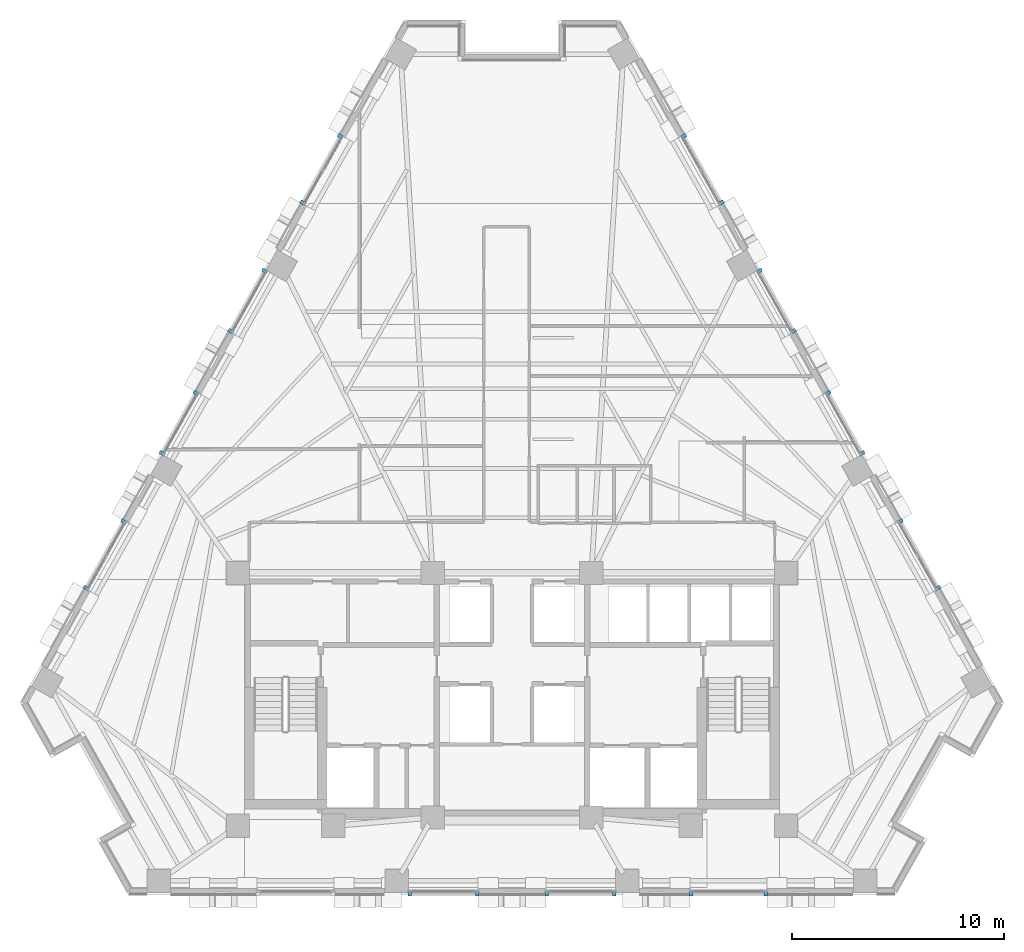
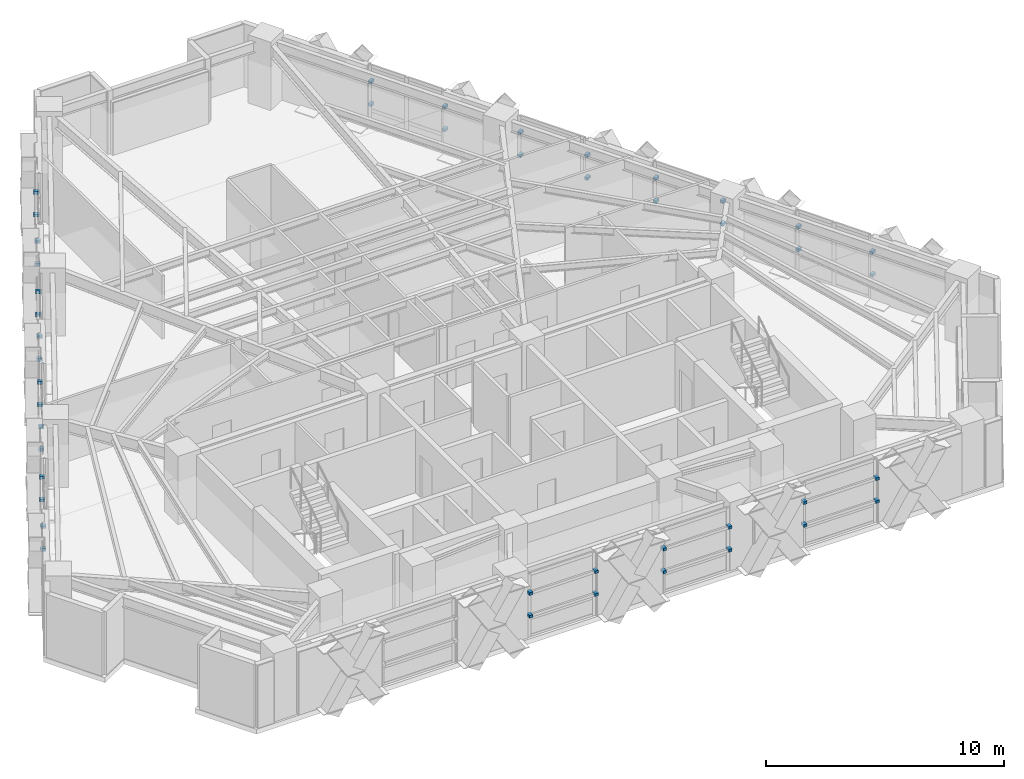
# One storey, part 10 of 14: 44 discrete accessories.
"""IFC4 building model written with IfcOpenShell, lengths in metres."""

from ifc_helpers import new_model, si_unit, direction, frame, origin, origin_2d, place, context, subcontext, project, spatial, rectangle, extrude, material, type_object, element, save


model = new_model("IFC4")

# Units and contexts
model_context = context("Model", 3, precision=1e-05, world=origin(), true_north=direction((0.0, 1.0)))
body_context = subcontext(model_context, "Body", "Model", "MODEL_VIEW")
ifc_project = project(units=[si_unit("LENGTHUNIT", "METRE"), si_unit("AREAUNIT", "SQUARE_METRE"), si_unit("VOLUMEUNIT", "CUBIC_METRE"), si_unit("PLANEANGLEUNIT", "RADIAN"), si_unit("MASSUNIT", "GRAM", prefix="KILO")], contexts=[model_context])

# Site, building, storey
site_placement = place(None, origin())
site = spatial("IfcSite", under=ifc_project, at=site_placement, CompositionType="ELEMENT")
building_placement = place(site_placement, origin())
building = spatial("IfcBuilding", under=site, at=building_placement, Name="Quenlor Broadcast Tower", CompositionType="ELEMENT")
storey_placement = place(building_placement, frame((0.0, 0.0, 102.0)))
storey = spatial("IfcBuildingStorey", under=building, at=storey_placement, Name="L27", CompositionType="ELEMENT", Elevation=102.0)

# Discrete accessories
ifc_material = material(Name="Aluminium 6063-T6", Category="aluminium")
discrete_accessory_type = type_object("IfcDiscreteAccessoryType", Name="Stainless Mullion Baguette Support Bracket", PredefinedType="BRACKET", material=ifc_material)
for number, where, z_axis, x_axis, name in (
    (1, (11.981689453125, -19.93994140625, 1.10009765625), (0.0, 0.0, 1.0), (-1.0, 0.0, 0.0), "L27 Baguette Mullion Bracket 1.1"),
    (2, (8.47119140625, -19.93994140625, 1.10009765625), (0.0, 0.0, 1.0), (-1.0, 0.0, 0.0), "L27 Baguette Mullion Bracket 1.2"),
    (3, (11.981689453125, -19.93994140625, 2.27001953125), (0.0, 0.0, 1.0), (-1.0, 0.0, 0.0), "L27 Baguette Mullion Bracket 2.1"),
    (4, (8.47119140625, -19.93994140625, 2.27001953125), (0.0, 0.0, 1.0), (-1.0, 0.0, 0.0), "L27 Baguette Mullion Bracket 2.2"),
    (5, (4.835693359375, -19.93994140625, 1.10009765625), (0.0, 0.0, 1.0), (-1.0, 0.0, 0.0), "L27 Baguette Mullion Bracket 1.1"),
    (6, (1.653564453125, -19.93994140625, 1.10009765625), (0.0, 0.0, 1.0), (-1.0, 0.0, 0.0), "L27 Baguette Mullion Bracket 1.2"),
    (7, (4.835693359375, -19.93994140625, 2.27001953125), (0.0, 0.0, 1.0), (-1.0, 0.0, 0.0), "L27 Baguette Mullion Bracket 2.1"),
    (8, (1.653564453125, -19.93994140625, 2.27001953125), (0.0, 0.0, 1.0), (-1.0, 0.0, 0.0), "L27 Baguette Mullion Bracket 2.2"),
    (9, (-1.653564453125, -19.93994140625, 1.10009765625), (0.0, 0.0, 1.0), (-1.0, 0.0, 0.0), "L27 Baguette Mullion Bracket 1.1"),
    (10, (-4.835693359375, -19.93994140625, 1.10009765625), (0.0, 0.0, 1.0), (-1.0, 0.0, 0.0), "L27 Baguette Mullion Bracket 1.2"),
    (11, (-1.653564453125, -19.93994140625, 2.27001953125), (0.0, 0.0, 1.0), (-1.0, 0.0, 0.0), "L27 Baguette Mullion Bracket 2.1"),
    (12, (-4.835693359375, -19.93994140625, 2.27001953125), (0.0, 0.0, 1.0), (-1.0, 0.0, 0.0), "L27 Baguette Mullion Bracket 2.2"),
    (13, (8.1181640625, 15.84521484375, 1.10009765625), (0.0, 0.0, 1.0), (0.490264988701, -0.871573428263, 0.0), "L27 Baguette Mullion Bracket 1.1"),
    (14, (9.887939453125, 12.698974609375, 1.10009765625), (0.0, 0.0, 1.0), (0.490264988701, -0.871573428263, 0.0), "L27 Baguette Mullion Bracket 1.2"),
    (15, (8.1181640625, 15.84521484375, 2.27001953125), (0.0, 0.0, 1.0), (0.490264988701, -0.871573428263, 0.0), "L27 Baguette Mullion Bracket 2.1"),
    (16, (9.887939453125, 12.698974609375, 2.27001953125), (0.0, 0.0, 1.0), (0.490264988701, -0.871573428263, 0.0), "L27 Baguette Mullion Bracket 2.2"),
    (17, (18.357421875, -2.35791015625, 1.10009765625), (0.0, 0.0, 1.0), (0.490277158114, -0.871566582787, 0.0), "L27 Baguette Mullion Bracket 1.1"),
    (18, (20.127197265625, -5.504150390625, 1.10009765625), (0.0, 0.0, 1.0), (0.490277158114, -0.871566582787, 0.0), "L27 Baguette Mullion Bracket 1.2"),
    (19, (18.357421875, -2.35791015625, 2.27001953125), (0.0, 0.0, 1.0), (0.490277158114, -0.871566582787, 0.0), "L27 Baguette Mullion Bracket 2.1"),
    (20, (20.127197265625, -5.504150390625, 2.27001953125), (0.0, 0.0, 1.0), (0.490277158114, -0.871566582787, 0.0), "L27 Baguette Mullion Bracket 2.2"),
    (21, (11.69873046875, 9.4794921875, 1.10009765625), (0.0, 0.0, 1.0), (0.490261946333, -0.871575139605, 0.0), "L27 Baguette Mullion Bracket 1.1"),
    (22, (13.301025390625, 6.63134765625, 1.10009765625), (0.0, 0.0, 1.0), (0.490261946333, -0.871575139605, 0.0), "L27 Baguette Mullion Bracket 1.2"),
    (23, (11.69873046875, 9.4794921875, 2.27001953125), (0.0, 0.0, 1.0), (0.490261946333, -0.871575139605, 0.0), "L27 Baguette Mullion Bracket 2.1"),
    (24, (13.301025390625, 6.63134765625, 2.27001953125), (0.0, 0.0, 1.0), (0.490261946333, -0.871575139605, 0.0), "L27 Baguette Mullion Bracket 2.2"),
    (25, (14.9443359375, 3.7099609375, 1.10009765625), (0.0, 0.0, 1.0), (0.490261946333, -0.871575139605, 0.0), "L27 Baguette Mullion Bracket 1.1"),
    (26, (16.54638671875, 0.86181640625, 1.10009765625), (0.0, 0.0, 1.0), (0.490261946333, -0.871575139605, 0.0), "L27 Baguette Mullion Bracket 1.2"),
    (27, (14.9443359375, 3.7099609375, 2.27001953125), (0.0, 0.0, 1.0), (0.490261946333, -0.871575139605, 0.0), "L27 Baguette Mullion Bracket 2.1"),
    (28, (16.54638671875, 0.86181640625, 2.27001953125), (0.0, 0.0, 1.0), (0.490261946333, -0.871575139605, 0.0), "L27 Baguette Mullion Bracket 2.2"),
    (29, (-20.127197265625, -5.504150390625, 1.10009765625), (0.0, 0.0, 1.0), (0.490277158114, 0.871566582787, 0.0), "L27 Baguette Mullion Bracket 1.1"),
    (30, (-18.357421875, -2.35791015625, 1.10009765625), (0.0, 0.0, 1.0), (0.490277158114, 0.871566582787, 0.0), "L27 Baguette Mullion Bracket 1.2"),
    (31, (-20.127197265625, -5.504150390625, 2.27001953125), (0.0, 0.0, 1.0), (0.490277158114, 0.871566582787, 0.0), "L27 Baguette Mullion Bracket 2.1"),
    (32, (-18.357421875, -2.35791015625, 2.27001953125), (0.0, 0.0, 1.0), (0.490277158114, 0.871566582787, 0.0), "L27 Baguette Mullion Bracket 2.2"),
    (33, (-9.887939453125, 12.698974609375, 1.10009765625), (0.0, 0.0, 1.0), (0.490264988701, 0.871573428263, 0.0), "L27 Baguette Mullion Bracket 1.1"),
    (34, (-8.1181640625, 15.84521484375, 1.10009765625), (0.0, 0.0, 1.0), (0.490264988701, 0.871573428263, 0.0), "L27 Baguette Mullion Bracket 1.2"),
    (35, (-9.887939453125, 12.698974609375, 2.27001953125), (0.0, 0.0, 1.0), (0.490264988701, 0.871573428263, 0.0), "L27 Baguette Mullion Bracket 2.1"),
    (36, (-8.1181640625, 15.84521484375, 2.27001953125), (0.0, 0.0, 1.0), (0.490264988701, 0.871573428263, 0.0), "L27 Baguette Mullion Bracket 2.2"),
    (37, (-16.54638671875, 0.86181640625, 1.10009765625), (0.0, 0.0, 1.0), (0.490261946333, 0.871575139605, 0.0), "L27 Baguette Mullion Bracket 1.1"),
    (38, (-14.9443359375, 3.7099609375, 1.10009765625), (0.0, 0.0, 1.0), (0.490261946333, 0.871575139605, 0.0), "L27 Baguette Mullion Bracket 1.2"),
    (39, (-16.54638671875, 0.86181640625, 2.27001953125), (0.0, 0.0, 1.0), (0.490261946333, 0.871575139605, 0.0), "L27 Baguette Mullion Bracket 2.1"),
    (40, (-14.9443359375, 3.7099609375, 2.27001953125), (0.0, 0.0, 1.0), (0.490261946333, 0.871575139605, 0.0), "L27 Baguette Mullion Bracket 2.2"),
    (41, (-13.301025390625, 6.63134765625, 1.10009765625), (0.0, 0.0, 1.0), (0.490261946333, 0.871575139605, 0.0), "L27 Baguette Mullion Bracket 1.1"),
    (42, (-11.69873046875, 9.4794921875, 1.10009765625), (0.0, 0.0, 1.0), (0.490261946333, 0.871575139605, 0.0), "L27 Baguette Mullion Bracket 1.2"),
    (43, (-13.301025390625, 6.63134765625, 2.27001953125), (0.0, 0.0, 1.0), (0.490261946333, 0.871575139605, 0.0), "L27 Baguette Mullion Bracket 2.1"),
    (44, (-11.69873046875, 9.4794921875, 2.27001953125), (0.0, 0.0, 1.0), (0.490261946333, 0.871575139605, 0.0), "L27 Baguette Mullion Bracket 2.2"),
):
    element("IfcDiscreteAccessory", number, at=place(storey_placement, frame(where, z_axis=z_axis, x_axis=x_axis)), inside=storey, type_object=discrete_accessory_type, Name=name, PredefinedType="BRACKET", context=body_context, shape_type="SweptSolid", body=[
        extrude(rectangle(XDim=0.159912109375, YDim=0.239990234375, at=origin_2d()), origin(), (0.0, 0.0, 1.0), 0.139892578125),
    ])

save(model, "model.ifc")
